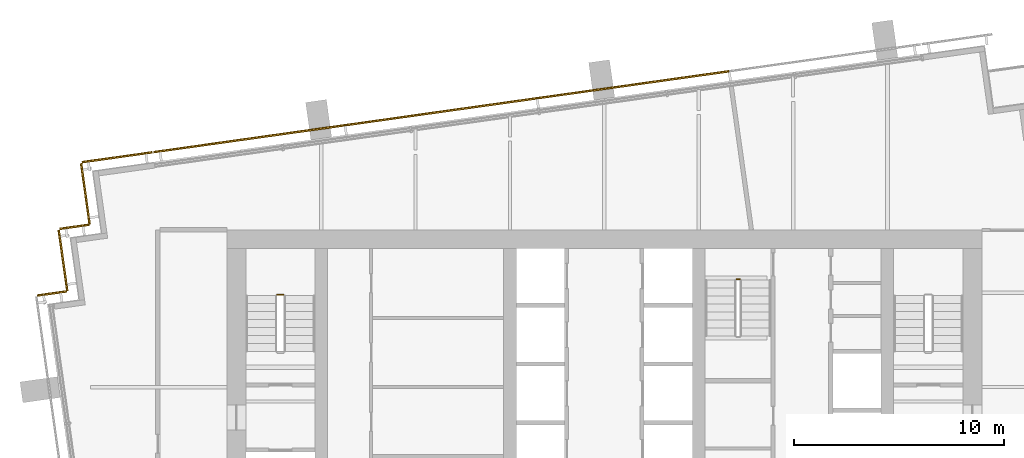
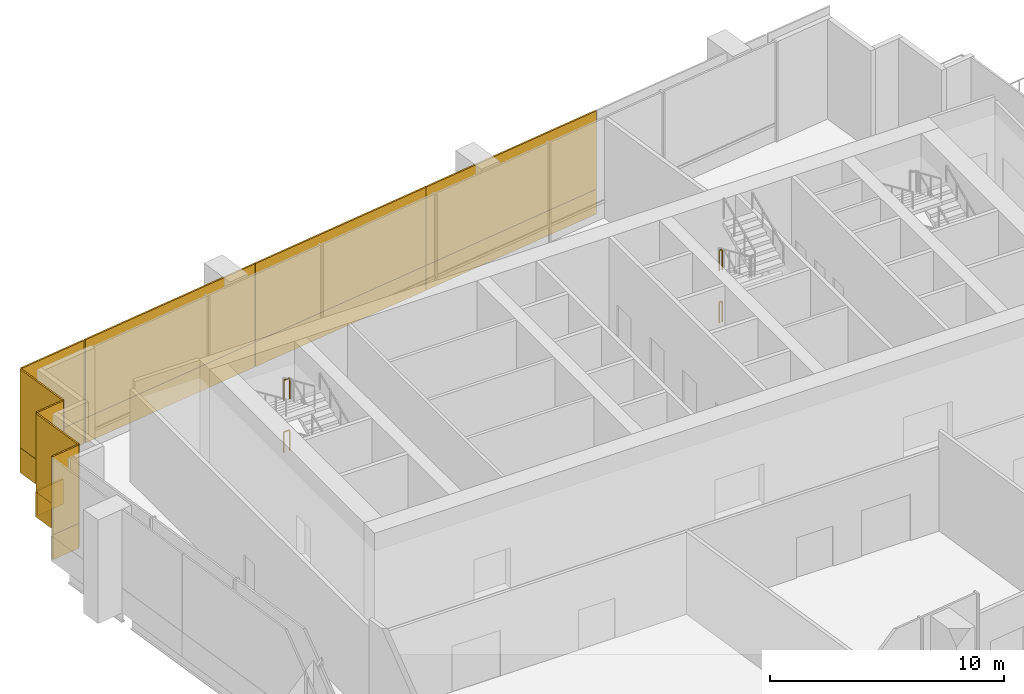
# One storey, part 13 of 14: 16 coverings, 4 railings.
"""IFC4 building model written with IfcOpenShell, lengths in metres."""

from ifc_helpers import new_model, si_unit, direction, frame, origin, origin_2d, place, context, subcontext, project, spatial, rectangle, extrude, material, layer, layer_set, type_object, element, save


model = new_model("IFC4")

# Units and contexts
model_context = context("Model", 3, precision=1e-05, world=origin(), true_north=direction((0.0, 1.0)))
body_context = subcontext(model_context, "Body", "Model", "MODEL_VIEW")
ifc_project = project(units=[si_unit("LENGTHUNIT", "METRE"), si_unit("AREAUNIT", "SQUARE_METRE"), si_unit("VOLUMEUNIT", "CUBIC_METRE"), si_unit("PLANEANGLEUNIT", "RADIAN"), si_unit("MASSUNIT", "GRAM", prefix="KILO")], contexts=[model_context])

# Site, building, storey
site_placement = place(None, origin())
site = spatial("IfcSite", under=ifc_project, at=site_placement, CompositionType="ELEMENT")
building_placement = place(site_placement, origin())
building = spatial("IfcBuilding", under=site, at=building_placement, Name="Rattan Terrace Tower", CompositionType="ELEMENT")
storey_placement = place(building_placement, frame((0.0, 0.0, 249.699951171875)))
storey = spatial("IfcBuildingStorey", under=building, at=storey_placement, Name="L57", CompositionType="ELEMENT", Elevation=249.699951171875)

# Railings
ifc_material_1 = material(Name="Powder-coated steel guard", Category="steel")
railing_type = type_object("IfcRailingType", Name="Core stair guard", PredefinedType="GUARDRAIL", material=ifc_material_1)
for number, where, name in (
    (1, (-15.300048828125, 4.409912109375, 1.35009765625), "L57 S1 stair guard 2"),
    (2, (-15.300048828125, 4.409912109375, 4.050048828125), "L57 S1 stair guard 6"),
):
    element("IfcRailing", number, at=place(storey_placement, frame(where)), inside=storey, type_object=railing_type, Name=name, PredefinedType="GUARDRAIL", context=body_context, shape_type="SweptSolid", body=[
        extrude(rectangle(XDim=0.048095703125, YDim=0.048095703125, at=origin_2d()), frame((0.0, 0.0, 1.076171875), z_axis=(-1.0, 0.0, 0.0), x_axis=(0.0, -1.0, 0.0)), (0.0, 0.0, 1.0), 0.300048828125),
        extrude(rectangle(XDim=0.0419921875, YDim=0.0419921875, at=origin_2d()), origin(), (0.0, 0.0, 1.0), 1.052001953125),
        extrude(rectangle(XDim=0.0419921875, YDim=0.0419921875, at=origin_2d()), frame((-0.300048828125, 0.0, 0.0)), (0.0, 0.0, 1.0), 1.052001953125),
    ])
for number, where, name in (
    (3, (6.300048828125, 5.14990234375, 2.699951171875), "L57 S3 stair guard 4"),
    (4, (6.300048828125, 5.14990234375, 0.0), "L57 S3 stair guard 8"),
):
    element("IfcRailing", number, at=place(storey_placement, frame(where)), inside=storey, type_object=railing_type, Name=name, PredefinedType="GUARDRAIL", context=body_context, shape_type="SweptSolid", body=[
        extrude(rectangle(XDim=0.048095703125, YDim=0.048095703125, at=origin_2d()), frame((0.0, 0.0, 1.076171875), z_axis=(1.0, 0.0, 0.0), x_axis=(0.0, 1.0, 0.0)), (0.0, 0.0, 1.0), 0.14990234375),
        extrude(rectangle(XDim=0.0419921875, YDim=0.0419921875, at=origin_2d()), origin(), (0.0, 0.0, 1.0), 1.052001953125),
        extrude(rectangle(XDim=0.0419921875, YDim=0.0419921875, at=origin_2d()), frame((0.14990234375, 0.0, 0.0)), (0.0, 0.0, 1.0), 1.052001953125),
    ])

# Coverings
ifc_material_2 = material(Name="Solid terracotta", Category="masonry")
ifc_layer_1 = layer(ifc_material_2, 0.090087890625)
ifc_layer_set_1 = layer_set([ifc_layer_1], Name="Facade Terracotta Band Panel HZ")
covering_type_1 = type_object("IfcCoveringType", Name="Facade Terracotta Band Panel HZ", PredefinedType="CLADDING", material=ifc_layer_set_1)
for number, where, z_axis, x_axis, name in (
    (5, (1.372802734375, 14.41943359375, -0.18994140625), (0.0, 0.0, 1.0), (-0.990265894013, -0.139188574079, 0.0), "OUTER SKIN panel L57-3A"),
    (6, (-7.7861328125, 13.132080078125, -0.18994140625), (0.0, 0.0, 1.0), (-0.990265894013, -0.139188574079, 0.0), "OUTER SKIN panel L57-4A"),
):
    element("IfcCovering", number, at=place(storey_placement, frame(where, z_axis=z_axis, x_axis=x_axis)), inside=storey, type_object=covering_type_1, Name=name, PredefinedType="CLADDING", context=body_context, shape_type="SweptSolid", body=[
        extrude(rectangle(XDim=9.22900390625, YDim=0.090087890625, at=origin_2d()), origin(), (0.0, 0.0, 1.0), 1.300048828125),
    ])
covering_1_placement = place(storey_placement, frame((-16.932373046875, 11.846435546875, -0.18994140625), z_axis=(0.0, 0.0, 1.0), x_axis=(-0.990265894013, -0.139188574079, 0.0)))
element("IfcCovering", 7, at=covering_1_placement, inside=storey, type_object=covering_type_1, Name="OUTER SKIN panel L57-5A", PredefinedType="CLADDING", context=body_context, shape_type="SweptSolid", body=[
    extrude(rectangle(XDim=9.203125, YDim=0.090087890625, at=origin_2d()), origin(), (0.0, 0.0, 1.0), 1.300048828125),
])
covering_2_placement = place(storey_placement, frame((-23.237060546875, 10.960693359375, -0.18994140625), z_axis=(0.0, 0.0, 1.0), x_axis=(-0.990293172258, -0.138994363123, 0.0)))
element("IfcCovering", 8, at=covering_2_placement, inside=storey, type_object=covering_type_1, Name="OUTER SKIN panel L57-6A", PredefinedType="CLADDING", context=body_context, shape_type="SweptSolid", body=[
    extrude(rectangle(XDim=3.3701171875, YDim=0.090087890625, at=origin_2d()), origin(), (0.0, 0.0, 1.0), 1.300048828125),
])
covering_3_placement = place(storey_placement, frame((-24.74951171875, 9.218505859375, -0.18994140625), z_axis=(0.0, 0.0, 1.0), x_axis=(0.138994363123, -0.990293172258, 0.0)))
element("IfcCovering", 9, at=covering_3_placement, inside=storey, type_object=covering_type_1, Name="OUTER SKIN panel L57-7A", PredefinedType="CLADDING", context=body_context, shape_type="SweptSolid", body=[
    extrude(rectangle(XDim=2.92041015625, YDim=0.090087890625, at=origin_2d()), origin(), (0.0, 0.0, 1.0), 1.300048828125),
])
covering_4_placement = place(storey_placement, frame((-25.270751953125, 7.645263671875, -0.18994140625), z_axis=(0.0, 0.0, 1.0), x_axis=(-0.990240767803, -0.139367219175, 0.0)))
element("IfcCovering", 10, at=covering_4_placement, inside=storey, type_object=covering_type_1, Name="OUTER SKIN panel L57-8A", PredefinedType="CLADDING", context=body_context, shape_type="SweptSolid", body=[
    extrude(rectangle(XDim=1.419921875, YDim=0.090087890625, at=origin_2d()), origin(), (0.0, 0.0, 1.0), 1.300048828125),
])
covering_5_placement = place(storey_placement, frame((-25.817138671875, 6.038818359375, -0.18994140625), z_axis=(0.0, 0.0, 1.0), x_axis=(0.139367219175, -0.990240767803, 0.0)))
element("IfcCovering", 11, at=covering_5_placement, inside=storey, type_object=covering_type_1, Name="OUTER SKIN panel L57-9A", PredefinedType="CLADDING", context=body_context, shape_type="SweptSolid", body=[
    extrude(rectangle(XDim=2.919189453125, YDim=0.090087890625, at=origin_2d()), origin(), (0.0, 0.0, 1.0), 1.300048828125),
])
covering_6_placement = place(storey_placement, frame((-26.33837890625, 4.46630859375, -0.18994140625), z_axis=(0.0, 0.0, 1.0), x_axis=(-0.99025370695, -0.139275252184, 0.0)))
element("IfcCovering", 12, at=covering_6_placement, inside=storey, type_object=covering_type_1, Name="OUTER SKIN panel L57-10A", PredefinedType="CLADDING", context=body_context, shape_type="SweptSolid", body=[
    extrude(rectangle(XDim=1.420654296875, YDim=0.090087890625, at=origin_2d()), origin(), (0.0, 0.0, 1.0), 1.300048828125),
])
ifc_material_3 = material(Name="Perforated terracotta", Category="masonry")
ifc_layer_2 = layer(ifc_material_3, 0.080078125)
ifc_layer_set_2 = layer_set([ifc_layer_2], Name="Facade Terracotta Screen Panel HZ")
covering_type_2 = type_object("IfcCoveringType", Name="Facade Terracotta Screen Panel HZ", PredefinedType="CLADDING", material=ifc_layer_set_2)
for number, where, z_axis, x_axis, name in (
    (13, (1.37353515625, 14.41455078125, 1.110107421875), (0.0, 0.0, 1.0), (-0.990265894013, -0.139188574079, 0.0), "OUTER SKIN panel L57-3B"),
    (14, (-7.785400390625, 13.127197265625, 1.110107421875), (0.0, 0.0, 1.0), (-0.990265894013, -0.139188574079, 0.0), "OUTER SKIN panel L57-4B"),
):
    element("IfcCovering", number, at=place(storey_placement, frame(where, z_axis=z_axis, x_axis=x_axis)), inside=storey, type_object=covering_type_2, Name=name, PredefinedType="CLADDING", context=body_context, shape_type="SweptSolid", body=[
        extrude(rectangle(XDim=9.22900390625, YDim=0.080078125, at=origin_2d()), origin(), (0.0, 0.0, 1.0), 4.080078125),
    ])
covering_7_placement = place(storey_placement, frame((-16.931640625, 11.841552734375, 1.110107421875), z_axis=(0.0, 0.0, 1.0), x_axis=(-0.990265894013, -0.139188574079, 0.0)))
element("IfcCovering", 15, at=covering_7_placement, inside=storey, type_object=covering_type_2, Name="OUTER SKIN panel L57-5B", PredefinedType="CLADDING", context=body_context, shape_type="SweptSolid", body=[
    extrude(rectangle(XDim=9.203125, YDim=0.080078125, at=origin_2d()), origin(), (0.0, 0.0, 1.0), 4.080078125),
])
covering_8_placement = place(storey_placement, frame((-23.236328125, 10.955810546875, 1.110107421875), z_axis=(0.0, 0.0, 1.0), x_axis=(-0.990293172258, -0.138994363123, 0.0)))
element("IfcCovering", 16, at=covering_8_placement, inside=storey, type_object=covering_type_2, Name="OUTER SKIN panel L57-6B", PredefinedType="CLADDING", context=body_context, shape_type="SweptSolid", body=[
    extrude(rectangle(XDim=3.3701171875, YDim=0.080078125, at=origin_2d()), origin(), (0.0, 0.0, 1.0), 4.080078125),
])
covering_9_placement = place(storey_placement, frame((-24.74462890625, 9.218994140625, 1.110107421875), z_axis=(0.0, 0.0, 1.0), x_axis=(0.138994363123, -0.990293172258, 0.0)))
element("IfcCovering", 17, at=covering_9_placement, inside=storey, type_object=covering_type_2, Name="OUTER SKIN panel L57-7B", PredefinedType="CLADDING", context=body_context, shape_type="SweptSolid", body=[
    extrude(rectangle(XDim=2.92041015625, YDim=0.080078125, at=origin_2d()), origin(), (0.0, 0.0, 1.0), 4.080078125),
])
covering_10_placement = place(storey_placement, frame((-25.27001953125, 7.640380859375, 1.110107421875), z_axis=(0.0, 0.0, 1.0), x_axis=(-0.990240767803, -0.139367219175, 0.0)))
element("IfcCovering", 18, at=covering_10_placement, inside=storey, type_object=covering_type_2, Name="OUTER SKIN panel L57-8B", PredefinedType="CLADDING", context=body_context, shape_type="SweptSolid", body=[
    extrude(rectangle(XDim=1.419921875, YDim=0.080078125, at=origin_2d()), origin(), (0.0, 0.0, 1.0), 4.080078125),
])
covering_11_placement = place(storey_placement, frame((-25.812255859375, 6.03955078125, 1.110107421875), z_axis=(0.0, 0.0, 1.0), x_axis=(0.139367219175, -0.990240767803, 0.0)))
element("IfcCovering", 19, at=covering_11_placement, inside=storey, type_object=covering_type_2, Name="OUTER SKIN panel L57-9B", PredefinedType="CLADDING", context=body_context, shape_type="SweptSolid", body=[
    extrude(rectangle(XDim=2.919189453125, YDim=0.080078125, at=origin_2d()), origin(), (0.0, 0.0, 1.0), 4.080078125),
])
covering_12_placement = place(storey_placement, frame((-26.337646484375, 4.46142578125, 1.110107421875), z_axis=(0.0, 0.0, 1.0), x_axis=(-0.99025370695, -0.139275252184, 0.0)))
element("IfcCovering", 20, at=covering_12_placement, inside=storey, type_object=covering_type_2, Name="OUTER SKIN panel L57-10B", PredefinedType="CLADDING", context=body_context, shape_type="SweptSolid", body=[
    extrude(rectangle(XDim=1.420654296875, YDim=0.080078125, at=origin_2d()), origin(), (0.0, 0.0, 1.0), 4.080078125),
])

save(model, "model.ifc")
